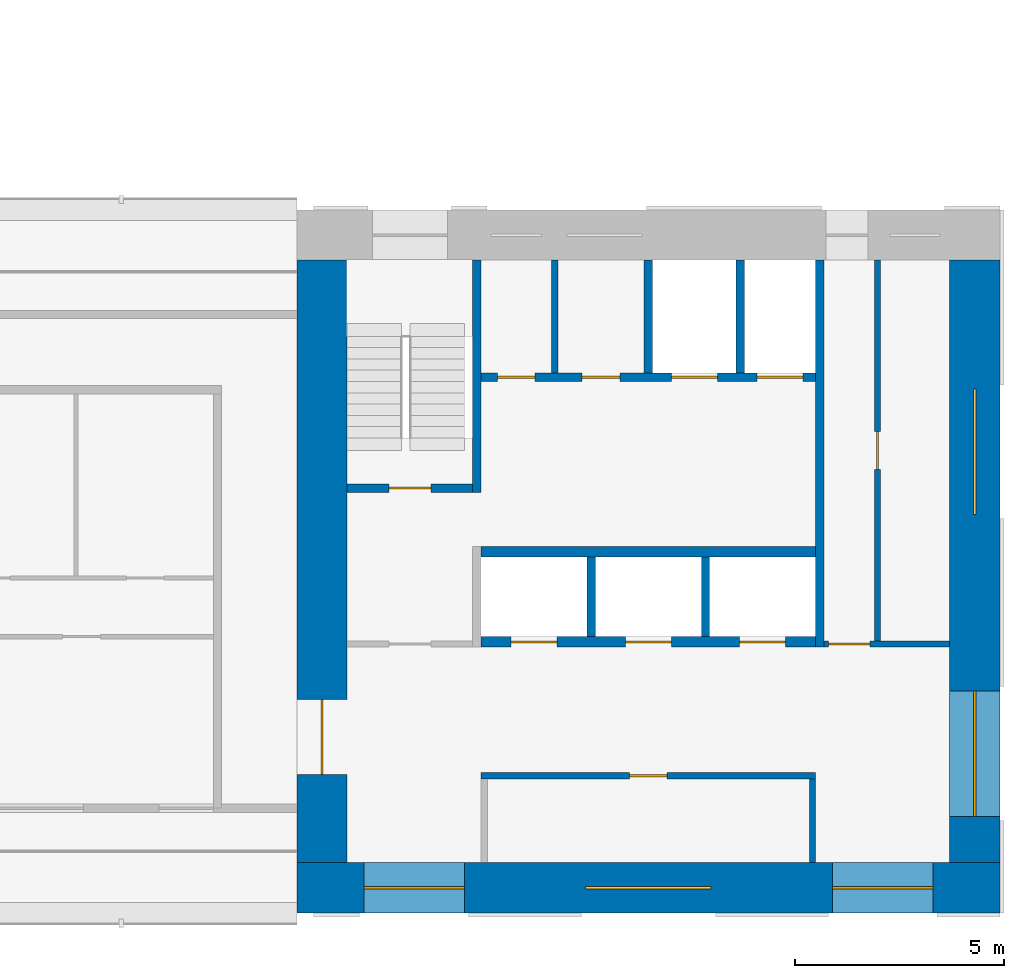
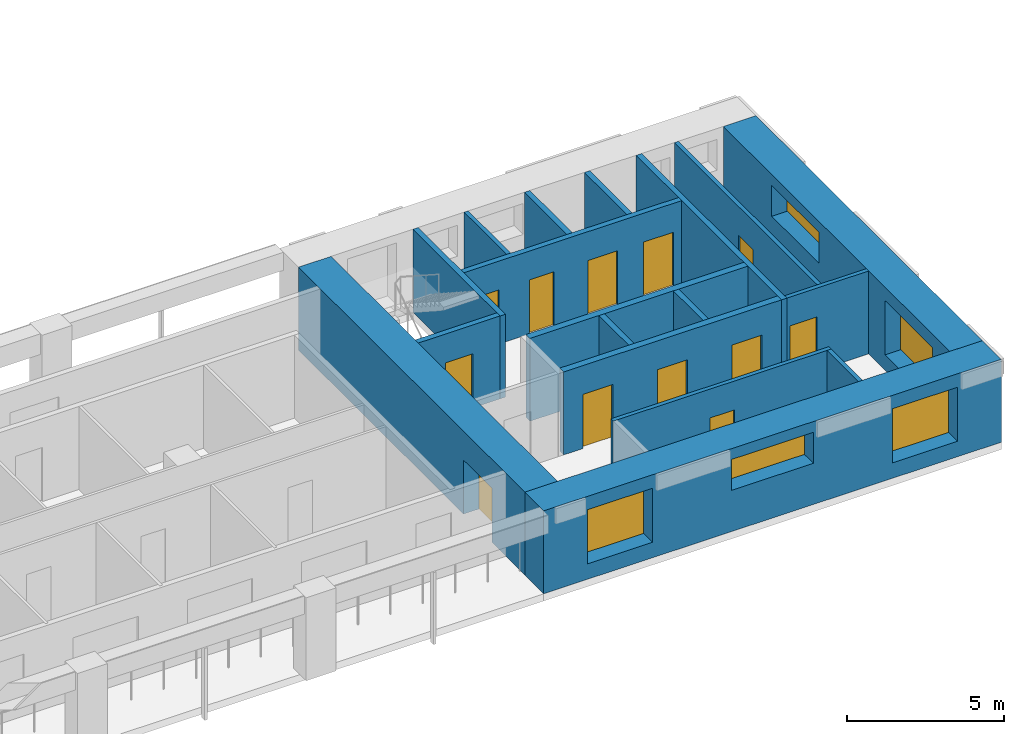
# One storey, part 4 of 9: 18 walls, 12 doors, 5 windows, 17 openings.
"""IFC4 building model written with IfcOpenShell, lengths in metres."""

from ifc_helpers import new_model, si_unit, direction, frame, frame_2d, origin, place, context, subcontext, project, spatial, rectangle, extrude, material, layer, layer_set, type_object, element, fill, save


model = new_model("IFC4")

# Units and contexts
model_context = context("Model", 3, precision=1e-05, world=origin(), true_north=direction((0.0, 1.0)))
body_context = subcontext(model_context, "Body", "Model", "MODEL_VIEW")
ifc_project = project(units=[si_unit("LENGTHUNIT", "METRE"), si_unit("AREAUNIT", "SQUARE_METRE"), si_unit("VOLUMEUNIT", "CUBIC_METRE"), si_unit("PLANEANGLEUNIT", "RADIAN"), si_unit("MASSUNIT", "GRAM", prefix="KILO")], contexts=[model_context])

# Site, building, storey
site_placement = place(None, origin())
site = spatial("IfcSite", under=ifc_project, at=site_placement, CompositionType="ELEMENT")
building_placement = place(site_placement, origin())
building = spatial("IfcBuilding", under=site, at=building_placement, Name="Vermilion Gate Residences", CompositionType="ELEMENT")
storey_placement = place(building_placement, frame((0.0, 0.0, 249.199951171875)))
storey = spatial("IfcBuildingStorey", under=building, at=storey_placement, Name="L65", CompositionType="ELEMENT", Elevation=249.199951171875)

# Wall
ifc_material_1 = material(Name="Masonry blockwork", Category="masonry")
ifc_layer_1 = layer(ifc_material_1, 0.14990234375)
ifc_layer_set_1 = layer_set([ifc_layer_1], Name="BLOCKWORK PARTITION 150 EI 120")
wall_type_1 = type_object("IfcWallType", Name="BLOCKWORK PARTITION 150 EI 120", PredefinedType="PARTITIONING", material=ifc_layer_set_1)
wall_1_placement = place(storey_placement, frame((54.324951171875, 9.60009765625, 0.0), z_axis=(0.0, 0.0, 1.0), x_axis=(0.0, 1.0, 0.0)))
element("IfcWall", 1, at=wall_1_placement, inside=storey, type_object=wall_type_1, Name="Core room partition A65-RW-E", PredefinedType="PARTITIONING", context=body_context, shape_type="SweptSolid", body=[
    extrude(rectangle(XDim=2.0, YDim=0.14990234375, at=frame_2d((1.0, 0.0))), origin(), (0.0, 0.0, 1.0), 3.219970703125),
])

# Wall, opening, door
wall_2_placement = place(storey_placement, frame((46.39990234375, 11.675048828125, 0.0), z_axis=(0.0, 0.0, 1.0), x_axis=(1.0, 0.0, 0.0)))
wall_2 = element("IfcWall", 2, at=wall_2_placement, inside=storey, type_object=wall_type_1, Name="Core room partition A65-LR-F", PredefinedType="PARTITIONING", context=body_context, shape_type="SweptSolid", body=[
    extrude(rectangle(XDim=8.0, YDim=0.14990234375, at=frame_2d((4.0, 0.0))), origin(), (0.0, 0.0, 1.0), 3.219970703125),
])
opening_1_placement = place(wall_2_placement, frame((3.550048828125, 0.0, 0.0)))
opening_1 = element("IfcOpeningElement", 3, at=opening_1_placement, cuts=wall_2, Name="Opening DK65002", PredefinedType="OPENING", context=body_context, shape_type="SweptSolid", body=[
    extrude(rectangle(XDim=0.89990234375, YDim=2.10009765625, at=frame_2d((0.449951171875, 1.050048828125))), frame((0.0, 0.0849609375, 0.0), z_axis=(0.0, -1.0, 0.0), x_axis=(1.0, 0.0, 0.0)), (0.0, 0.0, 1.0), 0.169921875),
])
ifc_material_2 = material(Name="Steel", Category="steel")
door_type_1 = type_object("IfcDoorType", Name="SERVICE ROOM DOOR FD60 900 X 2100", OperationType="SINGLE_SWING_LEFT", PredefinedType="DOOR", material=ifc_material_2)
door_1_placement = place(opening_1_placement, frame((0.89990234375, 0.0, 0.0), z_axis=(0.0, 0.0, 1.0), x_axis=(-1.0, 0.0, 0.0)))
door_1 = element("IfcDoor", 4, at=door_1_placement, inside=storey, type_object=door_type_1, Name="Refuse room A65", OperationType="SINGLE_SWING_RIGHT", OverallHeight=2.10009765625, OverallWidth=0.89990234375, PredefinedType="DOOR", context=body_context, shape_type="SweptSolid", body=[
    extrude(rectangle(XDim=0.89990234375, YDim=2.10009765625, at=frame_2d((0.449951171875, 1.050048828125))), frame((0.0, 0.02490234375, 0.0), z_axis=(0.0, -1.0, 0.0), x_axis=(1.0, 0.0, 0.0)), (0.0, 0.0, 1.0), 0.050048828125),
])
fill(opening_1, door_1)

# Wall
wall_3_placement = place(storey_placement, frame((48.16259765625, 21.300048828125, 0.0), z_axis=(0.0, 0.0, 1.0), x_axis=(0.0, 1.0, 0.0)))
element("IfcWall", 5, at=wall_3_placement, inside=storey, type_object=wall_type_1, Name="Core room partition A65-NR-P0", PredefinedType="PARTITIONING", context=body_context, shape_type="SweptSolid", body=[
    extrude(rectangle(XDim=2.699951171875, YDim=0.14990234375, at=frame_2d((1.35009765625, 0.0))), origin(), (0.0, 0.0, 1.0), 3.219970703125),
])

# Wall, opening, door
wall_4_placement = place(storey_placement, frame((54.60009765625, 14.824951171875, 0.0), z_axis=(0.0, 0.0, 1.0), x_axis=(1.0, 0.0, 0.0)))
wall_4 = element("IfcWall", 6, at=wall_4_placement, inside=storey, type_object=wall_type_1, Name="Core room partition A65-ES-S", PredefinedType="PARTITIONING", context=body_context, shape_type="SweptSolid", body=[
    extrude(rectangle(XDim=3.0, YDim=0.14990234375, at=frame_2d((1.5, 0.0))), origin(), (0.0, 0.0, 1.0), 3.219970703125),
])
opening_2_placement = place(wall_4_placement, frame((0.10009765625, 0.0, 0.0)))
opening_2 = element("IfcOpeningElement", 7, at=opening_2_placement, cuts=wall_4, Name="Opening DK65012", PredefinedType="OPENING", context=body_context, shape_type="SweptSolid", body=[
    extrude(rectangle(XDim=1.0, YDim=2.10009765625, at=frame_2d((0.5, 1.050048828125))), frame((0.0, 0.0849609375, 0.0), z_axis=(0.0, -1.0, 0.0), x_axis=(1.0, 0.0, 0.0)), (0.0, 0.0, 1.0), 0.169921875),
])
ifc_material_3 = material(Name="Steel", Category="steel")
door_type_2 = type_object("IfcDoorType", Name="FIRE DOOR FD60 1000 X 2100", OperationType="SINGLE_SWING_LEFT", PredefinedType="DOOR", material=ifc_material_3)
door_2_placement = place(opening_2_placement, frame((1.0, 0.0, 0.0), z_axis=(0.0, 0.0, 1.0), x_axis=(-1.0, 0.0, 0.0)))
door_2 = element("IfcDoor", 8, at=door_2_placement, inside=storey, type_object=door_type_2, Name="Service corridor door A65", OperationType="SINGLE_SWING_LEFT", OverallHeight=2.10009765625, OverallWidth=1.0, PredefinedType="DOOR", context=body_context, shape_type="SweptSolid", body=[
    extrude(rectangle(XDim=1.0, YDim=2.10009765625, at=frame_2d((0.5, 1.050048828125))), frame((0.0, 0.02490234375, 0.0), z_axis=(0.0, -1.0, 0.0), x_axis=(1.0, 0.0, 0.0)), (0.0, 0.0, 1.0), 0.050048828125),
])
fill(opening_2, door_2)

wall_5_placement = place(storey_placement, frame((55.875, 14.89990234375, 0.0), z_axis=(0.0, 0.0, 1.0), x_axis=(0.0, 1.0, 0.0)))
wall_5 = element("IfcWall", 9, at=wall_5_placement, inside=storey, type_object=wall_type_1, Name="Core room partition A65-ES-W", PredefinedType="PARTITIONING", context=body_context, shape_type="SweptSolid", body=[
    extrude(rectangle(XDim=9.10009765625, YDim=0.14990234375, at=frame_2d((4.550048828125, 0.0))), origin(), (0.0, 0.0, 1.0), 3.219970703125),
])
opening_3_placement = place(wall_5_placement, frame((4.10009765625, 0.0, 0.0)))
opening_3 = element("IfcOpeningElement", 10, at=opening_3_placement, cuts=wall_5, Name="Opening DK65013", PredefinedType="OPENING", context=body_context, shape_type="SweptSolid", body=[
    extrude(rectangle(XDim=0.89990234375, YDim=2.10009765625, at=frame_2d((0.449951171875, 1.050048828125))), frame((0.0, 0.0849609375, 0.0), z_axis=(0.0, -1.0, 0.0), x_axis=(1.0, 0.0, 0.0)), (0.0, 0.0, 1.0), 0.169921875),
])
door_3_placement = place(opening_3_placement, frame((0.89990234375, 0.0, 0.0), z_axis=(0.0, 0.0, 1.0), x_axis=(-1.0, 0.0, 0.0)))
door_3 = element("IfcDoor", 11, at=door_3_placement, inside=storey, type_object=door_type_1, Name="Parcel room A65", OperationType="SINGLE_SWING_RIGHT", OverallHeight=2.10009765625, OverallWidth=0.89990234375, PredefinedType="DOOR", context=body_context, shape_type="SweptSolid", body=[
    extrude(rectangle(XDim=0.89990234375, YDim=2.10009765625, at=frame_2d((0.449951171875, 1.050048828125))), frame((0.0, 0.02490234375, 0.0), z_axis=(0.0, -1.0, 0.0), x_axis=(1.0, 0.0, 0.0)), (0.0, 0.0, 1.0), 0.050048828125),
])
fill(opening_3, door_3)

# Walls
ifc_material_4 = material(Name="Concrete C60", Category="concrete")
ifc_layer_2 = layer(ifc_material_4, 0.199951171875)
ifc_layer_set_2 = layer_set([ifc_layer_2], Name="RC CORE INTERNAL WALL 200 C60")
wall_type_2 = type_object("IfcWallType", Name="RC CORE INTERNAL WALL 200 C60", PredefinedType="SHEAR", material=ifc_layer_set_2)
for number, where, z_axis, x_axis, name in (
    (12, (49.033447265625, 15.0, 0.0), (0.0, 0.0, 1.0), (0.0, 1.0, 0.0), "Core internal wall A65-HR-D1"),
    (13, (51.7666015625, 15.0, 0.0), (0.0, 0.0, 1.0), (0.0, 1.0, 0.0), "Core internal wall A65-HR-D2"),
):
    element("IfcWall", number, at=place(storey_placement, frame(where, z_axis=z_axis, x_axis=x_axis)), inside=storey, type_object=wall_type_2, Name=name, PredefinedType="SHEAR", context=body_context, shape_type="SweptSolid", body=[
        extrude(rectangle(XDim=1.89990234375, YDim=0.199951171875, at=frame_2d((0.949951171875, 0.0))), origin(), (0.0, 0.0, 1.0), 3.219970703125),
    ])
for number, where, z_axis, x_axis, name in (
    (14, (50.39990234375, 21.300048828125, 0.0), (0.0, 0.0, 1.0), (0.0, 1.0, 0.0), "Core internal wall A65-FF-D0"),
    (15, (52.60009765625, 21.300048828125, 0.0), (0.0, 0.0, 1.0), (0.0, 1.0, 0.0), "Core internal wall A65-FF-D1"),
):
    element("IfcWall", number, at=place(storey_placement, frame(where, z_axis=z_axis, x_axis=x_axis)), inside=storey, type_object=wall_type_2, Name=name, PredefinedType="SHEAR", context=body_context, shape_type="SweptSolid", body=[
        extrude(rectangle(XDim=2.699951171875, YDim=0.199951171875, at=frame_2d((1.35009765625, 0.0))), origin(), (0.0, 0.0, 1.0), 3.219970703125),
    ])

# Wall, openings, doors
wall_6_placement = place(storey_placement, frame((46.39990234375, 21.199951171875, 0.0), z_axis=(0.0, 0.0, 1.0), x_axis=(1.0, 0.0, 0.0)))
wall_6 = element("IfcWall", 16, at=wall_6_placement, inside=storey, type_object=wall_type_2, Name="Core internal wall A65-FF-F", PredefinedType="SHEAR", context=body_context, shape_type="SweptSolid", body=[
    extrude(rectangle(XDim=8.0, YDim=0.199951171875, at=frame_2d((4.0, 0.0))), origin(), (0.0, 0.0, 1.0), 3.219970703125),
])
opening_4_placement = place(wall_6_placement, frame((0.393798828125, 0.0, 0.0)))
opening_4 = element("IfcOpeningElement", 17, at=opening_4_placement, cuts=wall_6, Name="Opening DK65006", PredefinedType="OPENING", context=body_context, shape_type="SweptSolid", body=[
    extrude(rectangle(XDim=0.89990234375, YDim=2.10009765625, at=frame_2d((0.449951171875, 1.050048828125))), frame((0.0, 0.10986328125, 0.0), z_axis=(0.0, -1.0, 0.0), x_axis=(1.0, 0.0, 0.0)), (0.0, 0.0, 1.0), 0.219970703125),
])
opening_5_placement = place(wall_6_placement, frame((2.418701171875, 0.0, 0.0)))
opening_5 = element("IfcOpeningElement", 18, at=opening_5_placement, cuts=wall_6, Name="Opening DK65007", PredefinedType="OPENING", context=body_context, shape_type="SweptSolid", body=[
    extrude(rectangle(XDim=0.89990234375, YDim=2.10009765625, at=frame_2d((0.449951171875, 1.050048828125))), frame((0.0, 0.10986328125, 0.0), z_axis=(0.0, -1.0, 0.0), x_axis=(1.0, 0.0, 0.0)), (0.0, 0.0, 1.0), 0.219970703125),
])
opening_6_placement = place(wall_6_placement, frame((4.550048828125, 0.0, 0.0)))
opening_6 = element("IfcOpeningElement", 19, at=opening_6_placement, cuts=wall_6, Name="Opening LD", PredefinedType="OPENING", context=body_context, shape_type="SweptSolid", body=[
    extrude(rectangle(XDim=1.10009765625, YDim=2.10009765625, at=frame_2d((0.550048828125, 1.050048828125))), frame((0.0, 0.10986328125, 0.0), z_axis=(0.0, -1.0, 0.0), x_axis=(1.0, 0.0, 0.0)), (0.0, 0.0, 1.0), 0.219970703125),
])
opening_7_placement = place(wall_6_placement, frame((6.60009765625, 0.0, 0.0)))
opening_7 = element("IfcOpeningElement", 20, at=opening_7_placement, cuts=wall_6, Name="Opening LD", PredefinedType="OPENING", context=body_context, shape_type="SweptSolid", body=[
    extrude(rectangle(XDim=1.10009765625, YDim=2.10009765625, at=frame_2d((0.550048828125, 1.050048828125))), frame((0.0, 0.10986328125, 0.0), z_axis=(0.0, -1.0, 0.0), x_axis=(1.0, 0.0, 0.0)), (0.0, 0.0, 1.0), 0.219970703125),
])
ifc_material_5 = material(Name="Stainless steel", Category="steel")
door_type_3 = type_object("IfcDoorType", Name="LIFT LANDING DOOR E60 1100 X 2100", OperationType="DOUBLE_DOOR_SLIDING", PredefinedType="DOOR", material=ifc_material_5)
door_4_placement = place(opening_6_placement, origin())
door_4 = element("IfcDoor", 21, at=door_4_placement, inside=storey, type_object=door_type_3, Name="Lift landing door LFA1", OperationType="DOUBLE_DOOR_SLIDING", OverallHeight=2.10009765625, OverallWidth=1.10009765625, PredefinedType="DOOR", context=body_context, shape_type="SweptSolid", body=[
    extrude(rectangle(XDim=1.10009765625, YDim=2.10009765625, at=frame_2d((0.550048828125, 1.050048828125))), frame((0.0, 0.02490234375, 0.0), z_axis=(0.0, -1.0, 0.0), x_axis=(1.0, 0.0, 0.0)), (0.0, 0.0, 1.0), 0.050048828125),
])
fill(opening_6, door_4)
door_5_placement = place(opening_7_placement, origin())
door_5 = element("IfcDoor", 22, at=door_5_placement, inside=storey, type_object=door_type_3, Name="Lift landing door LCA1", OperationType="DOUBLE_DOOR_SLIDING", OverallHeight=2.10009765625, OverallWidth=1.10009765625, PredefinedType="DOOR", context=body_context, shape_type="SweptSolid", body=[
    extrude(rectangle(XDim=1.10009765625, YDim=2.10009765625, at=frame_2d((0.550048828125, 1.050048828125))), frame((0.0, 0.02490234375, 0.0), z_axis=(0.0, -1.0, 0.0), x_axis=(1.0, 0.0, 0.0)), (0.0, 0.0, 1.0), 0.050048828125),
])
fill(opening_7, door_5)
door_6_placement = place(opening_4_placement, origin())
door_6 = element("IfcDoor", 23, at=door_6_placement, inside=storey, type_object=door_type_1, Name="Communications riser A65", OperationType="SINGLE_SWING_LEFT", OverallHeight=2.10009765625, OverallWidth=0.89990234375, PredefinedType="DOOR", context=body_context, shape_type="SweptSolid", body=[
    extrude(rectangle(XDim=0.89990234375, YDim=2.10009765625, at=frame_2d((0.449951171875, 1.050048828125))), frame((0.0, 0.02490234375, 0.0), z_axis=(0.0, -1.0, 0.0), x_axis=(1.0, 0.0, 0.0)), (0.0, 0.0, 1.0), 0.050048828125),
])
fill(opening_4, door_6)
door_7_placement = place(opening_5_placement, origin())
door_7 = element("IfcDoor", 24, at=door_7_placement, inside=storey, type_object=door_type_1, Name="Refuse room A65", OperationType="SINGLE_SWING_LEFT", OverallHeight=2.10009765625, OverallWidth=0.89990234375, PredefinedType="DOOR", context=body_context, shape_type="SweptSolid", body=[
    extrude(rectangle(XDim=0.89990234375, YDim=2.10009765625, at=frame_2d((0.449951171875, 1.050048828125))), frame((0.0, 0.02490234375, 0.0), z_axis=(0.0, -1.0, 0.0), x_axis=(1.0, 0.0, 0.0)), (0.0, 0.0, 1.0), 0.050048828125),
])
fill(opening_5, door_7)

# Wall
wall_7_placement = place(storey_placement, frame((46.300048828125, 18.449951171875, 0.0), z_axis=(0.0, 0.0, 1.0), x_axis=(0.0, 1.0, 0.0)))
element("IfcWall", 25, at=wall_7_placement, inside=storey, type_object=wall_type_2, Name="Core internal wall A65-WDIV2", PredefinedType="SHEAR", context=body_context, shape_type="SweptSolid", body=[
    extrude(rectangle(XDim=5.550048828125, YDim=0.199951171875, at=frame_2d((2.77490234375, 0.0))), origin(), (0.0, 0.0, 1.0), 3.219970703125),
])

# Wall, opening, door
wall_8_placement = place(storey_placement, frame((43.199951171875, 18.550048828125, 0.0), z_axis=(0.0, 0.0, 1.0), x_axis=(1.0, 0.0, 0.0)))
wall_8 = element("IfcWall", 26, at=wall_8_placement, inside=storey, type_object=wall_type_2, Name="Core internal wall A65-STW-S", PredefinedType="SHEAR", context=body_context, shape_type="SweptSolid", body=[
    extrude(rectangle(XDim=3.0, YDim=0.199951171875, at=frame_2d((1.5, 0.0))), origin(), (0.0, 0.0, 1.0), 3.219970703125),
])
opening_8_placement = place(wall_8_placement, frame((1.0, 0.0, 0.0)))
opening_8 = element("IfcOpeningElement", 27, at=opening_8_placement, cuts=wall_8, Name="Opening DK65011", PredefinedType="OPENING", context=body_context, shape_type="SweptSolid", body=[
    extrude(rectangle(XDim=1.0, YDim=2.10009765625, at=frame_2d((0.5, 1.050048828125))), frame((0.0, 0.10986328125, 0.0), z_axis=(0.0, -1.0, 0.0), x_axis=(1.0, 0.0, 0.0)), (0.0, 0.0, 1.0), 0.219970703125),
])
door_8_placement = place(opening_8_placement, origin())
door_8 = element("IfcDoor", 28, at=door_8_placement, inside=storey, type_object=door_type_2, Name="Stair door A65", OperationType="SINGLE_SWING_LEFT", OverallHeight=2.10009765625, OverallWidth=1.0, PredefinedType="DOOR", context=body_context, shape_type="SweptSolid", body=[
    extrude(rectangle(XDim=1.0, YDim=2.10009765625, at=frame_2d((0.5, 1.050048828125))), frame((0.0, 0.02490234375, 0.0), z_axis=(0.0, -1.0, 0.0), x_axis=(1.0, 0.0, 0.0)), (0.0, 0.0, 1.0), 0.050048828125),
])
fill(opening_8, door_8)

# Wall
wall_9_placement = place(storey_placement, frame((54.5, 14.75, 0.0), z_axis=(0.0, 0.0, 1.0), x_axis=(0.0, 1.0, 0.0)))
element("IfcWall", 29, at=wall_9_placement, inside=storey, type_object=wall_type_2, Name="Core internal wall A65-EDIV", PredefinedType="SHEAR", context=body_context, shape_type="SweptSolid", body=[
    extrude(rectangle(XDim=9.25, YDim=0.199951171875, at=frame_2d((4.625, 0.0))), origin(), (0.0, 0.0, 1.0), 3.219970703125),
])

# Wall, opening, door
ifc_material_6 = material(Name="Concrete C50", Category="concrete")
ifc_layer_3 = layer(ifc_material_6, 1.199951171875)
ifc_layer_set_3 = layer_set([ifc_layer_3], Name="RC CORE WALL 1200 C50")
wall_type_3 = type_object("IfcWallType", Name="RC CORE WALL 1200 C50", PredefinedType="SHEAR", material=ifc_layer_set_3)
wall_10_placement = place(storey_placement, frame((42.60009765625, 9.60009765625, 0.0), z_axis=(0.0, 0.0, 1.0), x_axis=(0.0, 1.0, 0.0)))
wall_10 = element("IfcWall", 30, at=wall_10_placement, inside=storey, type_object=wall_type_3, Name="Core wall A65-OUT-FR", PredefinedType="SHEAR", context=body_context, shape_type="SweptSolid", body=[
    extrude(rectangle(XDim=14.39990234375, YDim=1.199951171875, at=frame_2d((7.199951171875, 0.0))), origin(), (0.0, 0.0, 1.0), 3.219970703125),
])
opening_9_placement = place(wall_10_placement, frame((2.10009765625, 0.0, 0.0)))
opening_9 = element("IfcOpeningElement", 31, at=opening_9_placement, cuts=wall_10, Name="Opening DK65001", PredefinedType="OPENING", context=body_context, shape_type="SweptSolid", body=[
    extrude(rectangle(XDim=1.800048828125, YDim=2.10009765625, at=frame_2d((0.89990234375, 1.050048828125))), frame((0.0, 0.60986328125, 0.0), z_axis=(0.0, -1.0, 0.0), x_axis=(1.0, 0.0, 0.0)), (0.0, 0.0, 1.0), 1.219970703125),
])
ifc_material_7 = material(Name="Steel", Category="steel")
door_type_4 = type_object("IfcDoorType", Name="CORE LOBBY DOOR FD60 1800 X 2100", OperationType="DOUBLE_DOOR_SINGLE_SWING", PredefinedType="DOOR", material=ifc_material_7)
door_9_placement = place(opening_9_placement, frame((1.800048828125, 0.0, 0.0), z_axis=(0.0, 0.0, 1.0), x_axis=(-1.0, 0.0, 0.0)))
door_9 = element("IfcDoor", 32, at=door_9_placement, inside=storey, type_object=door_type_4, Name="Core lobby door A65", OperationType="DOUBLE_DOOR_SINGLE_SWING", OverallHeight=2.10009765625, OverallWidth=1.800048828125, PredefinedType="DOOR", context=body_context, shape_type="SweptSolid", body=[
    extrude(rectangle(XDim=1.800048828125, YDim=2.10009765625, at=frame_2d((0.89990234375, 1.050048828125))), frame((0.0, 0.02490234375, 0.0), z_axis=(0.0, -1.0, 0.0), x_axis=(1.0, 0.0, 0.0)), (0.0, 0.0, 1.0), 0.050048828125),
])
fill(opening_9, door_9)

# Wall, openings, windows
ifc_material_8 = material(Name="Concrete C50 red-oxide pigmented", Category="concrete")
ifc_layer_4 = layer(ifc_material_8, 1.199951171875)
ifc_layer_set_4 = layer_set([ifc_layer_4], Name="RC CORE WALL 1200 C50 RED OXIDE")
wall_type_4 = type_object("IfcWallType", Name="RC CORE WALL 1200 C50 RED OXIDE", PredefinedType="SHEAR", material=ifc_layer_set_4)
wall_11_placement = place(storey_placement, frame((42.0, 9.0, 0.0), z_axis=(0.0, 0.0, 1.0), x_axis=(1.0, 0.0, 0.0)))
wall_11 = element("IfcWall", 33, at=wall_11_placement, inside=storey, type_object=wall_type_4, Name="Core wall A65-OUT-B0", PredefinedType="SHEAR", context=body_context, shape_type="SweptSolid", body=[
    extrude(rectangle(XDim=16.800048828125, YDim=1.199951171875, at=frame_2d((8.39990234375, 0.0))), origin(), (0.0, 0.0, 1.0), 3.219970703125),
])
opening_10_placement = place(wall_11_placement, frame((1.60009765625, 0.0, 0.60009765625)))
opening_10 = element("IfcOpeningElement", 34, at=opening_10_placement, cuts=wall_11, Name="Opening WKA6501", PredefinedType="OPENING", context=body_context, shape_type="SweptSolid", body=[
    extrude(rectangle(XDim=2.39990234375, YDim=2.10009765625, at=frame_2d((1.199951171875, 1.050048828125))), frame((0.0, 0.60986328125, 0.0), z_axis=(0.0, -1.0, 0.0), x_axis=(1.0, 0.0, 0.0)), (0.0, 0.0, 1.0), 1.219970703125),
])
opening_11_placement = place(wall_11_placement, frame((6.89990234375, 0.0, 1.60009765625)))
opening_11 = element("IfcOpeningElement", 35, at=opening_11_placement, cuts=wall_11, Name="Opening WKA6502", PredefinedType="OPENING", context=body_context, shape_type="SweptSolid", body=[
    extrude(rectangle(XDim=3.0, YDim=1.199951171875, at=frame_2d((1.5, 0.60009765625))), frame((0.0, 0.60986328125, 0.0), z_axis=(0.0, -1.0, 0.0), x_axis=(1.0, 0.0, 0.0)), (0.0, 0.0, 1.0), 1.219970703125),
])
opening_12_placement = place(wall_11_placement, frame((12.800048828125, 0.0, 0.60009765625)))
opening_12 = element("IfcOpeningElement", 36, at=opening_12_placement, cuts=wall_11, Name="Opening WKA6503", PredefinedType="OPENING", context=body_context, shape_type="SweptSolid", body=[
    extrude(rectangle(XDim=2.39990234375, YDim=2.10009765625, at=frame_2d((1.199951171875, 1.050048828125))), frame((0.0, 0.60986328125, 0.0), z_axis=(0.0, -1.0, 0.0), x_axis=(1.0, 0.0, 0.0)), (0.0, 0.0, 1.0), 1.219970703125),
])
ifc_material_9 = material(Name="Aluminium and clear glass", Category="aluminium")
window_type_1 = type_object("IfcWindowType", Name="CORE LOBBY WINDOW 2400 X 2100", PartitioningType="SINGLE_PANEL", PredefinedType="WINDOW", material=ifc_material_9)
window_1_placement = place(opening_10_placement, origin())
window_1 = element("IfcWindow", 37, at=window_1_placement, inside=storey, type_object=window_type_1, Name="Core lobby window", OverallHeight=2.10009765625, OverallWidth=2.39990234375, PartitioningType="SINGLE_PANEL", PredefinedType="WINDOW", context=body_context, shape_type="SweptSolid", body=[
    extrude(rectangle(XDim=2.39990234375, YDim=2.10009765625, at=frame_2d((1.199951171875, 1.050048828125))), frame((0.0, 0.030029296875, 0.0), z_axis=(0.0, -1.0, 0.0), x_axis=(1.0, 0.0, 0.0)), (0.0, 0.0, 1.0), 0.06005859375),
])
fill(opening_10, window_1)
window_2_placement = place(opening_12_placement, origin())
window_2 = element("IfcWindow", 38, at=window_2_placement, inside=storey, type_object=window_type_1, Name="Core lobby window", OverallHeight=2.10009765625, OverallWidth=2.39990234375, PartitioningType="SINGLE_PANEL", PredefinedType="WINDOW", context=body_context, shape_type="SweptSolid", body=[
    extrude(rectangle(XDim=2.39990234375, YDim=2.10009765625, at=frame_2d((1.199951171875, 1.050048828125))), frame((0.0, 0.030029296875, 0.0), z_axis=(0.0, -1.0, 0.0), x_axis=(1.0, 0.0, 0.0)), (0.0, 0.0, 1.0), 0.06005859375),
])
fill(opening_12, window_2)
ifc_material_10 = material(Name="Aluminium frame with louvre blades", Category="aluminium")
window_type_2 = type_object("IfcWindowType", Name="CORE LOUVRE 3000 X 1200", PartitioningType="SINGLE_PANEL", PredefinedType="WINDOW", material=ifc_material_10)
window_3_placement = place(opening_11_placement, origin())
window_3 = element("IfcWindow", 39, at=window_3_placement, inside=storey, type_object=window_type_2, Name="Core louvre", OverallHeight=1.199951171875, OverallWidth=3.0, PartitioningType="SINGLE_PANEL", PredefinedType="WINDOW", context=body_context, shape_type="SweptSolid", body=[
    extrude(rectangle(XDim=3.0, YDim=1.199951171875, at=frame_2d((1.5, 0.60009765625))), frame((0.0, 0.030029296875, 0.0), z_axis=(0.0, -1.0, 0.0), x_axis=(1.0, 0.0, 0.0)), (0.0, 0.0, 1.0), 0.06005859375),
])
fill(opening_11, window_3)

wall_12_placement = place(storey_placement, frame((58.199951171875, 9.60009765625, 0.0), z_axis=(0.0, 0.0, 1.0), x_axis=(0.0, 1.0, 0.0)))
wall_12 = element("IfcWall", 40, at=wall_12_placement, inside=storey, type_object=wall_type_4, Name="Core wall A65-OUT-BK", PredefinedType="SHEAR", context=body_context, shape_type="SweptSolid", body=[
    extrude(rectangle(XDim=14.39990234375, YDim=1.199951171875, at=frame_2d((7.199951171875, 0.0))), origin(), (0.0, 0.0, 1.0), 3.219970703125),
])
opening_13_placement = place(wall_12_placement, frame((1.10498046875, 0.0, 0.60009765625)))
opening_13 = element("IfcOpeningElement", 41, at=opening_13_placement, cuts=wall_12, Name="Opening WKA6509", PredefinedType="OPENING", context=body_context, shape_type="SweptSolid", body=[
    extrude(rectangle(XDim=3.0, YDim=2.10009765625, at=frame_2d((1.5, 1.050048828125))), frame((0.0, 0.60986328125, 0.0), z_axis=(0.0, -1.0, 0.0), x_axis=(1.0, 0.0, 0.0)), (0.0, 0.0, 1.0), 1.219970703125),
])
opening_14_placement = place(wall_12_placement, frame((8.320068359375, 0.0, 1.60009765625)))
opening_14 = element("IfcOpeningElement", 42, at=opening_14_placement, cuts=wall_12, Name="Opening WKA6510", PredefinedType="OPENING", context=body_context, shape_type="SweptSolid", body=[
    extrude(rectangle(XDim=3.0, YDim=1.199951171875, at=frame_2d((1.5, 0.60009765625))), frame((0.0, 0.60986328125, 0.0), z_axis=(0.0, -1.0, 0.0), x_axis=(1.0, 0.0, 0.0)), (0.0, 0.0, 1.0), 1.219970703125),
])
ifc_material_11 = material(Name="Aluminium and clear glass", Category="aluminium")
window_type_3 = type_object("IfcWindowType", Name="CORE LOBBY WINDOW 3000 X 2100", PartitioningType="SINGLE_PANEL", PredefinedType="WINDOW", material=ifc_material_11)
window_4_placement = place(opening_13_placement, origin())
window_4 = element("IfcWindow", 43, at=window_4_placement, inside=storey, type_object=window_type_3, Name="Core lobby window", OverallHeight=2.10009765625, OverallWidth=3.0, PartitioningType="SINGLE_PANEL", PredefinedType="WINDOW", context=body_context, shape_type="SweptSolid", body=[
    extrude(rectangle(XDim=3.0, YDim=2.10009765625, at=frame_2d((1.5, 1.050048828125))), frame((0.0, 0.030029296875, 0.0), z_axis=(0.0, -1.0, 0.0), x_axis=(1.0, 0.0, 0.0)), (0.0, 0.0, 1.0), 0.06005859375),
])
fill(opening_13, window_4)
window_5_placement = place(opening_14_placement, origin())
window_5 = element("IfcWindow", 44, at=window_5_placement, inside=storey, type_object=window_type_2, Name="Core louvre", OverallHeight=1.199951171875, OverallWidth=3.0, PartitioningType="SINGLE_PANEL", PredefinedType="WINDOW", context=body_context, shape_type="SweptSolid", body=[
    extrude(rectangle(XDim=3.0, YDim=1.199951171875, at=frame_2d((1.5, 0.60009765625))), frame((0.0, 0.030029296875, 0.0), z_axis=(0.0, -1.0, 0.0), x_axis=(1.0, 0.0, 0.0)), (0.0, 0.0, 1.0), 0.06005859375),
])
fill(opening_14, window_5)

# Wall, openings, doors
ifc_material_12 = material(Name="Concrete C60", Category="concrete")
ifc_layer_5 = layer(ifc_material_12, 0.25)
ifc_layer_set_5 = layer_set([ifc_layer_5], Name="RC LIFT SHAFT WALL 250 C60")
wall_type_5 = type_object("IfcWallType", Name="RC LIFT SHAFT WALL 250 C60", PredefinedType="SHEAR", material=ifc_layer_set_5)
wall_13_placement = place(storey_placement, frame((46.39990234375, 14.875, 0.0), z_axis=(0.0, 0.0, 1.0), x_axis=(1.0, 0.0, 0.0)))
wall_13 = element("IfcWall", 45, at=wall_13_placement, inside=storey, type_object=wall_type_5, Name="Lift shaft wall A65-HR-F", PredefinedType="SHEAR", context=body_context, shape_type="SweptSolid", body=[
    extrude(rectangle(XDim=8.0, YDim=0.25, at=frame_2d((4.0, 0.0))), origin(), (0.0, 0.0, 1.0), 3.219970703125),
])
opening_15_placement = place(wall_13_placement, frame((0.716552734375, 0.0, 0.0)))
opening_15 = element("IfcOpeningElement", 46, at=opening_15_placement, cuts=wall_13, Name="Opening LD", PredefinedType="OPENING", context=body_context, shape_type="SweptSolid", body=[
    extrude(rectangle(XDim=1.10009765625, YDim=2.10009765625, at=frame_2d((0.550048828125, 1.050048828125))), frame((0.0, 0.135009765625, 0.0), z_axis=(0.0, -1.0, 0.0), x_axis=(1.0, 0.0, 0.0)), (0.0, 0.0, 1.0), 0.27001953125),
])
opening_16_placement = place(wall_13_placement, frame((3.449951171875, 0.0, 0.0)))
opening_16 = element("IfcOpeningElement", 47, at=opening_16_placement, cuts=wall_13, Name="Opening LD", PredefinedType="OPENING", context=body_context, shape_type="SweptSolid", body=[
    extrude(rectangle(XDim=1.10009765625, YDim=2.10009765625, at=frame_2d((0.550048828125, 1.050048828125))), frame((0.0, 0.135009765625, 0.0), z_axis=(0.0, -1.0, 0.0), x_axis=(1.0, 0.0, 0.0)), (0.0, 0.0, 1.0), 0.27001953125),
])
opening_17_placement = place(wall_13_placement, frame((6.183349609375, 0.0, 0.0)))
opening_17 = element("IfcOpeningElement", 48, at=opening_17_placement, cuts=wall_13, Name="Opening LD", PredefinedType="OPENING", context=body_context, shape_type="SweptSolid", body=[
    extrude(rectangle(XDim=1.10009765625, YDim=2.10009765625, at=frame_2d((0.550048828125, 1.050048828125))), frame((0.0, 0.135009765625, 0.0), z_axis=(0.0, -1.0, 0.0), x_axis=(1.0, 0.0, 0.0)), (0.0, 0.0, 1.0), 0.27001953125),
])
door_10_placement = place(opening_15_placement, origin())
door_10 = element("IfcDoor", 49, at=door_10_placement, inside=storey, type_object=door_type_3, Name="Lift landing door HRA1", OperationType="DOUBLE_DOOR_SLIDING", OverallHeight=2.10009765625, OverallWidth=1.10009765625, PredefinedType="DOOR", context=body_context, shape_type="SweptSolid", body=[
    extrude(rectangle(XDim=1.10009765625, YDim=2.10009765625, at=frame_2d((0.550048828125, 1.050048828125))), frame((0.0, 0.02490234375, 0.0), z_axis=(0.0, -1.0, 0.0), x_axis=(1.0, 0.0, 0.0)), (0.0, 0.0, 1.0), 0.050048828125),
])
fill(opening_15, door_10)
door_11_placement = place(opening_16_placement, origin())
door_11 = element("IfcDoor", 50, at=door_11_placement, inside=storey, type_object=door_type_3, Name="Lift landing door HRA2", OperationType="DOUBLE_DOOR_SLIDING", OverallHeight=2.10009765625, OverallWidth=1.10009765625, PredefinedType="DOOR", context=body_context, shape_type="SweptSolid", body=[
    extrude(rectangle(XDim=1.10009765625, YDim=2.10009765625, at=frame_2d((0.550048828125, 1.050048828125))), frame((0.0, 0.02490234375, 0.0), z_axis=(0.0, -1.0, 0.0), x_axis=(1.0, 0.0, 0.0)), (0.0, 0.0, 1.0), 0.050048828125),
])
fill(opening_16, door_11)
door_12_placement = place(opening_17_placement, origin())
door_12 = element("IfcDoor", 51, at=door_12_placement, inside=storey, type_object=door_type_3, Name="Lift landing door HRA3", OperationType="DOUBLE_DOOR_SLIDING", OverallHeight=2.10009765625, OverallWidth=1.10009765625, PredefinedType="DOOR", context=body_context, shape_type="SweptSolid", body=[
    extrude(rectangle(XDim=1.10009765625, YDim=2.10009765625, at=frame_2d((0.550048828125, 1.050048828125))), frame((0.0, 0.02490234375, 0.0), z_axis=(0.0, -1.0, 0.0), x_axis=(1.0, 0.0, 0.0)), (0.0, 0.0, 1.0), 0.050048828125),
])
fill(opening_17, door_12)

# Wall
wall_14_placement = place(storey_placement, frame((46.39990234375, 17.02490234375, 0.0), z_axis=(0.0, 0.0, 1.0), x_axis=(1.0, 0.0, 0.0)))
element("IfcWall", 52, at=wall_14_placement, inside=storey, type_object=wall_type_5, Name="Lift shaft wall A65-HR-B", PredefinedType="SHEAR", context=body_context, shape_type="SweptSolid", body=[
    extrude(rectangle(XDim=8.0, YDim=0.25, at=frame_2d((4.0, 0.0))), origin(), (0.0, 0.0, 1.0), 3.219970703125),
])

save(model, "model.ifc")
